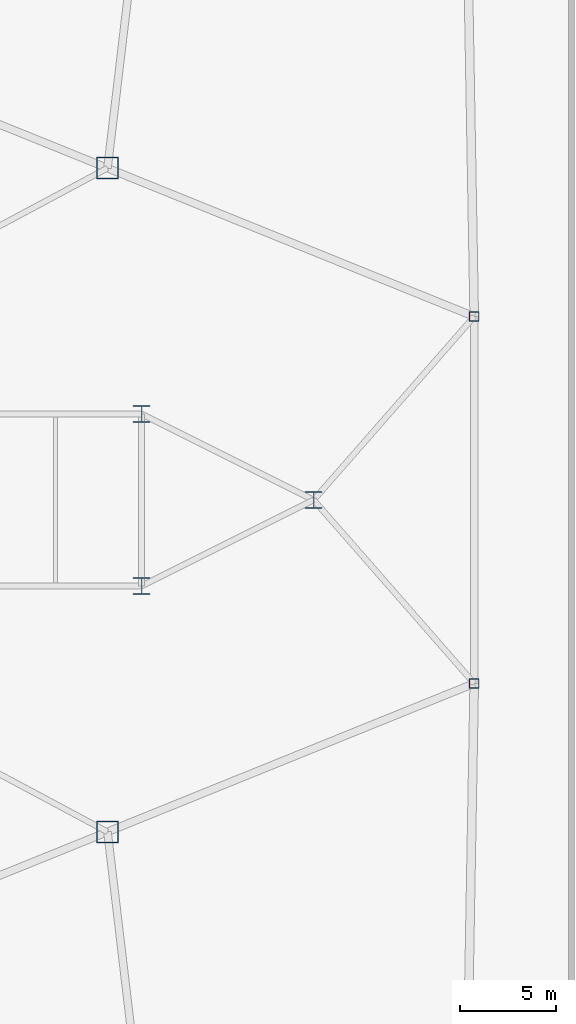
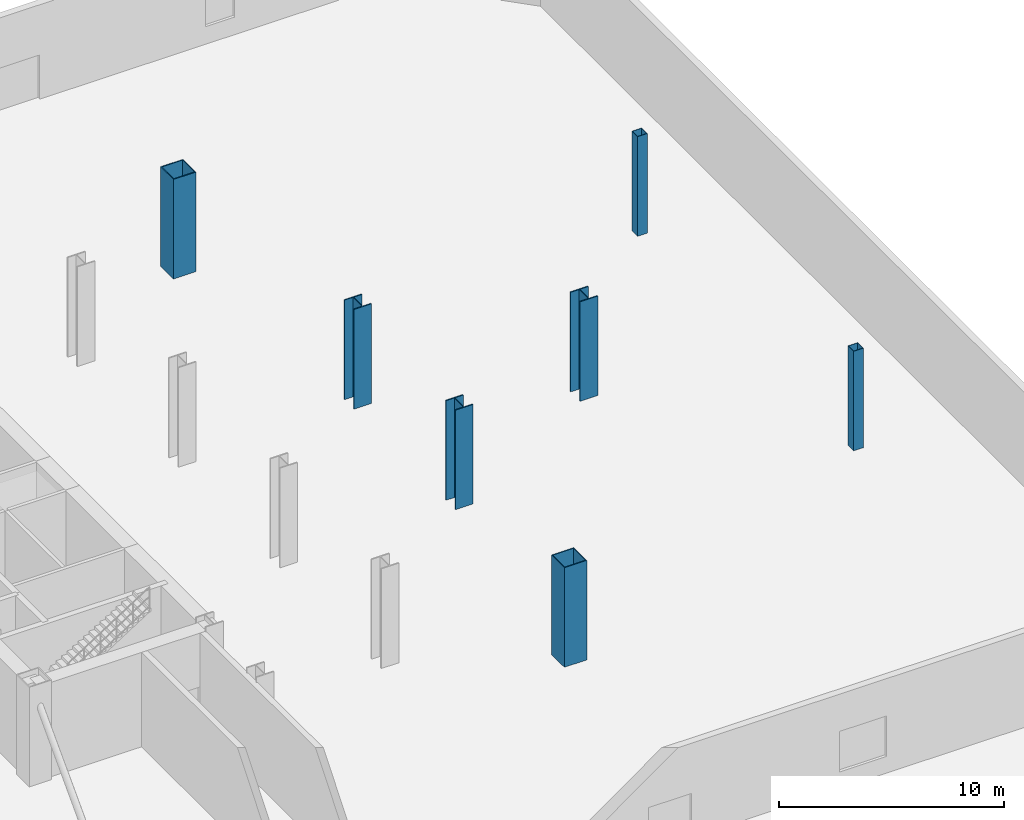
# One storey, part 6 of 21: 7 columns.
"""IFC4 building model written with IfcOpenShell, lengths in metres."""

from ifc_helpers import new_model, si_unit, direction, frame, origin, origin_2d, place, context, subcontext, project, spatial, hollow_rectangle, i_section, extrude, source, transform, mapped, material, material_profile, profile_set, type_object, type_shapes, element, save


model = new_model("IFC4")

# Units and contexts
model_context = context("Model", 3, precision=1e-05, world=origin(), true_north=direction((0.0, 1.0)))
body_context = subcontext(model_context, "Body", "Model", "MODEL_VIEW")
ifc_project = project(units=[si_unit("LENGTHUNIT", "METRE"), si_unit("AREAUNIT", "SQUARE_METRE"), si_unit("VOLUMEUNIT", "CUBIC_METRE"), si_unit("PLANEANGLEUNIT", "RADIAN"), si_unit("MASSUNIT", "GRAM", prefix="KILO")], contexts=[model_context])

# Site, building, storey
site_placement = place(None, origin())
site = spatial("IfcSite", under=ifc_project, at=site_placement, CompositionType="ELEMENT")
building_placement = place(site_placement, origin())
building = spatial("IfcBuilding", under=site, at=building_placement, Name="Seokmaru Belvedere", CompositionType="ELEMENT")
storey_placement = place(building_placement, origin())
storey = spatial("IfcBuildingStorey", under=building, at=storey_placement, Name="L00", CompositionType="ELEMENT", Elevation=0.0)

# Columns
ifc_material_1 = material(Name="Steel HSA650 (650 MPa)", Category="steel")
ifc_material_profile_1 = material_profile(ifc_material_1, hollow_rectangle(XDim=1.14990234375, YDim=1.14990234375, WallThickness=0.048095703125, at=origin_2d()), Name="BOX-1150x1150x48")
ifc_profile_set_1 = profile_set([ifc_material_profile_1], Name="Steel HSA650 (650 MPa)")
column_type_1 = type_object("IfcColumnType", Name="Portal Spine Column BOX-1150", PredefinedType="COLUMN", material=ifc_profile_set_1)
shared_shape_1 = source(origin(), body_context, "Body", "SweptSolid", [
    extrude(hollow_rectangle(XDim=1.14990234375, YDim=1.14990234375, WallThickness=0.048095703125, at=origin_2d()), origin(), (0.0, 0.0, 1.0), 5.39990234375),
])
type_shapes(column_type_1, [shared_shape_1])
for number, where, z_axis, x_axis, name in (
    (1, (52.715576171875, -17.360595703125, 0.0), (0.0, 0.0, 1.0), (1.0, 0.0, 0.0), "L00 Column EFLK_S2"),
    (2, (52.715576171875, 17.360595703125, 0.0), (0.0, 0.0, 1.0), (1.0, 0.0, 0.0), "L00 Column EFLK_N2"),
):
    element("IfcColumn", number, at=place(storey_placement, frame(where, z_axis=z_axis, x_axis=x_axis)), inside=storey, type_object=column_type_1, Name=name, PredefinedType="COLUMN", context=body_context, shape_type="MappedRepresentation", body=[
        mapped(shared_shape_1, transform((0.0, 0.0, 0.0), scale=1.0)),
    ])
ifc_material_profile_2 = material_profile(ifc_material_1, i_section(OverallWidth=0.89990234375, OverallDepth=0.89990234375, WebThickness=0.035888671875, FlangeThickness=0.054931640625, at=origin_2d()), Name="H-900x900x36x55")
ifc_profile_set_2 = profile_set([ifc_material_profile_2], Name="Steel HSA650 (650 MPa)")
column_type_2 = type_object("IfcColumnType", Name="Lower Interior Column H-900", PredefinedType="COLUMN", material=ifc_profile_set_2)
shared_shape_2 = source(origin(), body_context, "Body", "SweptSolid", [
    extrude(i_section(OverallWidth=0.89990234375, OverallDepth=0.89990234375, WebThickness=0.035888671875, FlangeThickness=0.054931640625, at=origin_2d()), origin(), (0.0, 0.0, 1.0), 5.39990234375),
])
type_shapes(column_type_2, [shared_shape_2])
for number, where, z_axis, x_axis, name in (
    (3, (54.5, -4.5, 0.0), (0.0, 0.0, 1.0), (1.0, 0.0, 0.0), "L00 Column EG4P_1"),
    (4, (54.5, 4.5, 0.0), (0.0, 0.0, 1.0), (1.0, 0.0, 0.0), "L00 Column EG4P_2"),
    (5, (63.5, 0.0, 0.0), (0.0, 0.0, 1.0), (1.0, 0.0, 0.0), "L00 Column EG3P_1"),
):
    element("IfcColumn", number, at=place(storey_placement, frame(where, z_axis=z_axis, x_axis=x_axis)), inside=storey, type_object=column_type_2, Name=name, PredefinedType="COLUMN", context=body_context, shape_type="MappedRepresentation", body=[
        mapped(shared_shape_2, transform((0.0, 0.0, 0.0), scale=1.0)),
    ])
ifc_material_2 = material(Name="Steel SM355 (355 MPa)", Category="steel")
ifc_material_profile_3 = material_profile(ifc_material_2, hollow_rectangle(XDim=0.5, YDim=0.5, WallThickness=0.02001953125, at=origin_2d()), Name="HSS-500x500x20")
ifc_profile_set_3 = profile_set([ifc_material_profile_3], Name="Steel SM355 (355 MPa)")
column_type_3 = type_object("IfcColumnType", Name="Perimeter Facet Column HSS-500", PredefinedType="COLUMN", material=ifc_profile_set_3)
shared_shape_3 = source(origin(), body_context, "Body", "SweptSolid", [
    extrude(hollow_rectangle(XDim=0.5, YDim=0.5, WallThickness=0.02001953125, at=origin_2d()), origin(), (0.0, 0.0, 1.0), 5.39990234375),
])
type_shapes(column_type_3, [shared_shape_3])
for number, where, z_axis, x_axis, name in (
    (6, (71.89990234375, -9.595703125, 0.0), (0.0, 0.0, 1.0), (1.0, 0.0, 0.0), "L00 Column EF2"),
    (7, (71.89990234375, 9.595703125, 0.0), (0.0, 0.0, 1.0), (1.0, 0.0, 0.0), "L00 Column EF3"),
):
    element("IfcColumn", number, at=place(storey_placement, frame(where, z_axis=z_axis, x_axis=x_axis)), inside=storey, type_object=column_type_3, Name=name, PredefinedType="COLUMN", context=body_context, shape_type="MappedRepresentation", body=[
        mapped(shared_shape_3, transform((0.0, 0.0, 0.0), scale=1.0)),
    ])

save(model, "model.ifc")
